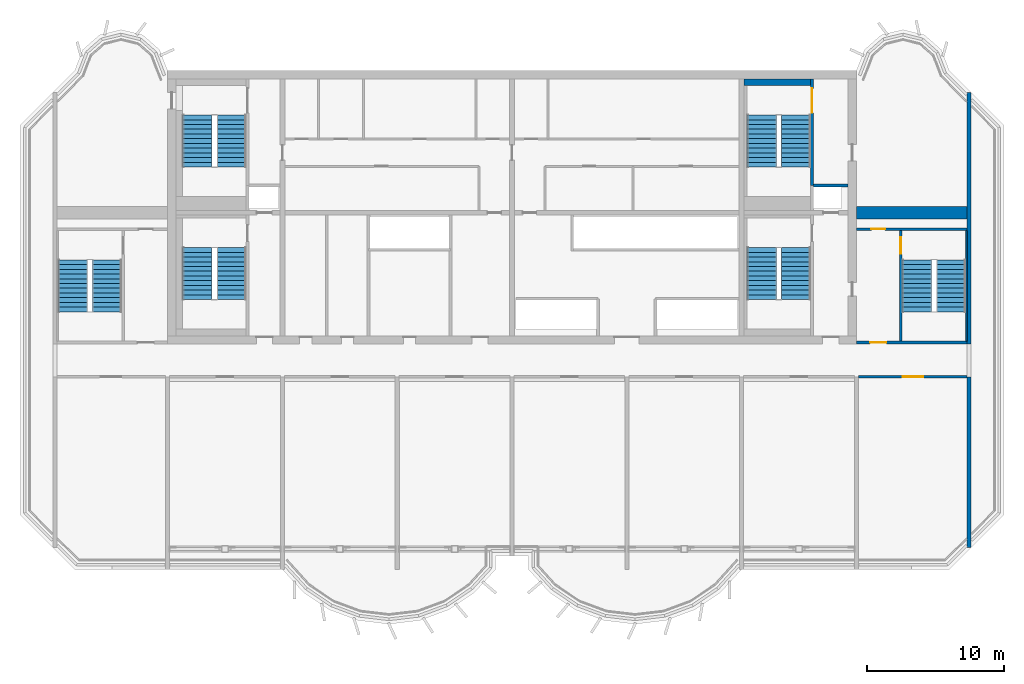
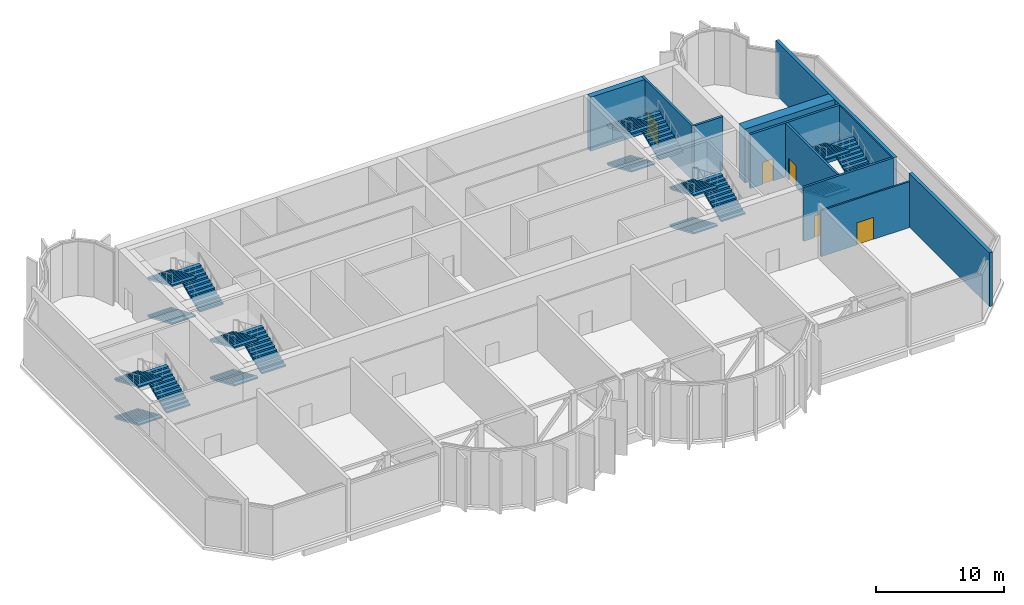
# One storey, part 5 of 11: 18 stair flights, 11 walls, 5 doors, 5 openings, 6 elements without a shape of their own.
"""IFC4 building model written with IfcOpenShell, lengths in metres."""

from ifc_helpers import new_model, si_unit, direction, frame, frame_2d, origin, place, context, subcontext, project, spatial, polyline, rectangle, outline, extrude, source, transform, mapped, material, layer, layer_set, type_object, element, fill, aggregate, save


model = new_model("IFC4")

# Units and contexts
model_context = context("Model", 3, precision=1e-05, world=origin(), true_north=direction((0.0, 1.0)))
body_context = subcontext(model_context, "Body", "Model", "MODEL_VIEW")
ifc_project = project(units=[si_unit("LENGTHUNIT", "METRE"), si_unit("AREAUNIT", "SQUARE_METRE"), si_unit("VOLUMEUNIT", "CUBIC_METRE"), si_unit("PLANEANGLEUNIT", "RADIAN"), si_unit("MASSUNIT", "GRAM", prefix="KILO")], contexts=[model_context])

# Site, building, storey
site_placement = place(None, origin())
site = spatial("IfcSite", under=ifc_project, at=site_placement, CompositionType="ELEMENT")
building_placement = place(site_placement, origin())
building = spatial("IfcBuilding", under=site, at=building_placement, Name="Vanashikhar Sky Hotel", CompositionType="ELEMENT")
storey_placement = place(building_placement, frame((0.0, 0.0, 264.699951171875)))
storey = spatial("IfcBuildingStorey", under=building, at=storey_placement, Name="L64", CompositionType="ELEMENT", Elevation=264.699951171875)

# Walls
ifc_material_1 = material(Name="Concrete M60", Category="concrete")
ifc_layer_1 = layer(ifc_material_1, 0.300048828125)
ifc_layer_set_1 = layer_set([ifc_layer_1], Name="RC shear wall 300 Concrete M60")
wall_type_1 = type_object("IfcWallType", Name="RC shear wall 300 Concrete M60", PredefinedType="SHEAR", material=ifc_layer_set_1)
shared_shape_1 = source(origin(), body_context, "Body", "SweptSolid", [
    extrude(rectangle(XDim=12.5, YDim=0.300048828125, at=frame_2d((6.25, 0.0))), origin(), (0.0, 0.0, 1.0), 5.1201171875),
])
wall_1_placement = place(storey_placement, frame((83.85009765625, 7.10009765625, 0.0), z_axis=(0.0, 0.0, 1.0), x_axis=(0.0, 1.0, 0.0)))
element("IfcWall", 1, at=wall_1_placement, inside=storey, type_object=wall_type_1, Name="CW-L64-XW11-1", PredefinedType="SHEAR", context=body_context, shape_type="MappedRepresentation", body=[
    mapped(shared_shape_1, transform((0.0, 0.0, 0.0), scale=1.0)),
])
shared_shape_2 = source(origin(), body_context, "Body", "SweptSolid", [
    extrude(rectangle(XDim=18.39990234375, YDim=0.300048828125, at=frame_2d((9.199951171875, 0.0))), origin(), (0.0, 0.0, 1.0), 5.1201171875),
])
wall_2_placement = place(storey_placement, frame((83.85009765625, 22.0, 0.0), z_axis=(0.0, 0.0, 1.0), x_axis=(0.0, 1.0, 0.0)))
element("IfcWall", 2, at=wall_2_placement, inside=storey, type_object=wall_type_1, Name="CW-L64-XW11-2", PredefinedType="SHEAR", context=body_context, shape_type="MappedRepresentation", body=[
    mapped(shared_shape_2, transform((0.0, 0.0, 0.0), scale=1.0)),
])
ifc_layer_2 = layer(ifc_material_1, 0.89990234375)
ifc_layer_set_2 = layer_set([ifc_layer_2], Name="RC outrigger wall 900 Concrete M60")
wall_type_2 = type_object("IfcWallType", Name="RC outrigger wall 900 Concrete M60", PredefinedType="SHEAR", material=ifc_layer_set_2)
shared_shape_3 = source(origin(), body_context, "Body", "SweptSolid", [
    extrude(rectangle(XDim=8.099853515625, YDim=0.89990234375, at=frame_2d((4.0498046875, 0.0))), origin(), (0.0, 0.0, 1.0), 5.1201171875),
])
wall_3_placement = place(storey_placement, frame((75.60009765625, 31.60009765625, 0.0), z_axis=(0.0, 0.0, 1.0), x_axis=(1.0, 0.0, 0.0)))
element("IfcWall", 3, at=wall_3_placement, inside=storey, type_object=wall_type_2, Name="OW-L64-02", PredefinedType="SHEAR", context=body_context, shape_type="MappedRepresentation", body=[
    mapped(shared_shape_3, transform((0.0, 0.0, 0.0), scale=1.0)),
])

# Wall, opening, door
ifc_material_2 = material(Name="Concrete M50", Category="concrete")
ifc_layer_3 = layer(ifc_material_2, 0.199951171875)
ifc_layer_set_3 = layer_set([ifc_layer_3], Name="Stair wall 200")
wall_type_3 = type_object("IfcWallType", Name="Stair wall 200", PredefinedType="SOLIDWALL", material=ifc_layer_set_3)
shared_shape_4 = source(origin(), body_context, "Body", "SweptSolid", [
    extrude(rectangle(XDim=8.2998046875, YDim=0.199951171875, at=frame_2d((4.14990234375, 0.0))), origin(), (0.0, 0.0, 1.0), 5.1201171875),
])
wall_4_placement = place(storey_placement, frame((78.85009765625, 22.10009765625, 0.0), z_axis=(0.0, 0.0, 1.0), x_axis=(0.0, 1.0, 0.0)))
wall_4 = element("IfcWall", 4, at=wall_4_placement, inside=storey, type_object=wall_type_3, Name="Stair wall 200", PredefinedType="SOLIDWALL", context=body_context, shape_type="MappedRepresentation", body=[
    mapped(shared_shape_4, transform((0.0, 0.0, 0.0), scale=1.0)),
])
shared_shape_5 = source(origin(), body_context, "Body", "SweptSolid", [
    extrude(rectangle(XDim=1.199951171875, YDim=2.10009765625, at=frame_2d((0.60009765625, 1.050048828125))), frame((0.0, 0.10986328125, 0.0), z_axis=(0.0, -1.0, 0.0), x_axis=(1.0, 0.0, 0.0)), (0.0, 0.0, 1.0), 0.219970703125),
])
opening_1_placement = place(wall_4_placement, frame((6.5, 0.0, 0.0)))
opening_1 = element("IfcOpeningElement", 5, at=opening_1_placement, cuts=wall_4, Name="Opening DC-1", PredefinedType="OPENING", context=body_context, shape_type="MappedRepresentation", body=[
    mapped(shared_shape_5, transform((0.0, 0.0, 0.0), scale=1.0)),
])
ifc_material_3 = material(Name="Steel", Category="steel")
door_type_1 = type_object("IfcDoorType", Name="Stair door 1200 FD120", OperationType="NOTDEFINED", PredefinedType="DOOR", material=ifc_material_3)
shared_shape_6 = source(origin(), body_context, "Body", "SweptSolid", [
    extrude(rectangle(XDim=1.199951171875, YDim=2.10009765625, at=frame_2d((0.60009765625, 1.050048828125))), frame((0.0, 0.02490234375, 0.0), z_axis=(0.0, -1.0, 0.0), x_axis=(1.0, 0.0, 0.0)), (0.0, 0.0, 1.0), 0.050048828125),
])
door_1_placement = place(opening_1_placement, origin())
door_1 = element("IfcDoor", 6, at=door_1_placement, inside=storey, type_object=door_type_1, Name="Stair door 1200 FD120", OperationType="SINGLE_SWING_LEFT", OverallHeight=2.10009765625, OverallWidth=1.199951171875, PredefinedType="DOOR", context=body_context, shape_type="MappedRepresentation", body=[
    mapped(shared_shape_6, transform((0.0, 0.0, 0.0), scale=1.0)),
])
fill(opening_1, door_1)

shared_shape_7 = source(origin(), body_context, "Body", "SweptSolid", [
    extrude(rectangle(XDim=8.099853515625, YDim=0.199951171875, at=frame_2d((4.0498046875, 0.0))), origin(), (0.0, 0.0, 1.0), 5.1201171875),
])
wall_5_placement = place(storey_placement, frame((83.699951171875, 22.10009765625, 0.0), z_axis=(0.0, 0.0, 1.0), x_axis=(-1.0, 0.0, 0.0)))
wall_5 = element("IfcWall", 7, at=wall_5_placement, inside=storey, type_object=wall_type_3, Name="Stair wall 200", PredefinedType="SOLIDWALL", context=body_context, shape_type="MappedRepresentation", body=[
    mapped(shared_shape_7, transform((0.0, 0.0, 0.0), scale=1.0)),
])
opening_2_placement = place(wall_5_placement, frame((5.89990234375, 0.0, 0.0)))
opening_2 = element("IfcOpeningElement", 8, at=opening_2_placement, cuts=wall_5, Name="Opening DC-2", PredefinedType="OPENING", context=body_context, shape_type="MappedRepresentation", body=[
    mapped(shared_shape_5, transform((0.0, 0.0, 0.0), scale=1.0)),
])
door_type_2 = type_object("IfcDoorType", Name="Firefighting lobby door 1200 FD120", OperationType="NOTDEFINED", PredefinedType="DOOR", material=ifc_material_3)
door_2_placement = place(opening_2_placement, origin())
door_2 = element("IfcDoor", 9, at=door_2_placement, inside=storey, type_object=door_type_2, Name="Firefighting lobby door 1200 FD120", OperationType="SINGLE_SWING_LEFT", OverallHeight=2.10009765625, OverallWidth=1.199951171875, PredefinedType="DOOR", context=body_context, shape_type="MappedRepresentation", body=[
    mapped(shared_shape_6, transform((0.0, 0.0, 0.0), scale=1.0)),
])
fill(opening_2, door_2)

wall_6_placement = place(storey_placement, frame((83.699951171875, 30.39990234375, 0.0), z_axis=(0.0, 0.0, 1.0), x_axis=(-1.0, 0.0, 0.0)))
wall_6 = element("IfcWall", 10, at=wall_6_placement, inside=storey, type_object=wall_type_3, Name="Stair wall 200", PredefinedType="SOLIDWALL", context=body_context, shape_type="MappedRepresentation", body=[
    mapped(shared_shape_7, transform((0.0, 0.0, 0.0), scale=1.0)),
])
shared_shape_8 = source(origin(), body_context, "Body", "SweptSolid", [
    extrude(rectangle(XDim=1.0, YDim=2.10009765625, at=frame_2d((0.5, 1.050048828125))), frame((0.0, 0.10986328125, 0.0), z_axis=(0.0, -1.0, 0.0), x_axis=(1.0, 0.0, 0.0)), (0.0, 0.0, 1.0), 0.219970703125),
])
opening_3_placement = place(wall_6_placement, frame((6.0, 0.0, 0.0)))
opening_3 = element("IfcOpeningElement", 11, at=opening_3_placement, cuts=wall_6, Name="Opening DC-6", PredefinedType="OPENING", context=body_context, shape_type="MappedRepresentation", body=[
    mapped(shared_shape_8, transform((0.0, 0.0, 0.0), scale=1.0)),
])
door_type_3 = type_object("IfcDoorType", Name="Pocket door 1000 FD60", OperationType="NOTDEFINED", PredefinedType="DOOR", material=ifc_material_3)
shared_shape_9 = source(origin(), body_context, "Body", "SweptSolid", [
    extrude(rectangle(XDim=1.0, YDim=2.10009765625, at=frame_2d((0.5, 1.050048828125))), frame((0.0, 0.02490234375, 0.0), z_axis=(0.0, -1.0, 0.0), x_axis=(1.0, 0.0, 0.0)), (0.0, 0.0, 1.0), 0.050048828125),
])
door_3_placement = place(opening_3_placement, origin())
door_3 = element("IfcDoor", 12, at=door_3_placement, inside=storey, type_object=door_type_3, Name="Pocket door 1000 FD60", OperationType="SINGLE_SWING_LEFT", OverallHeight=2.10009765625, OverallWidth=1.0, PredefinedType="DOOR", context=body_context, shape_type="MappedRepresentation", body=[
    mapped(shared_shape_9, transform((0.0, 0.0, 0.0), scale=1.0)),
])
fill(opening_3, door_3)

shared_shape_10 = source(origin(), body_context, "Body", "SweptSolid", [
    extrude(rectangle(XDim=7.7998046875, YDim=0.199951171875, at=frame_2d((3.89990234375, 0.0))), origin(), (0.0, 0.0, 1.0), 5.1201171875),
])
wall_7_placement = place(storey_placement, frame((72.35009765625, 33.60009765625, 0.0), z_axis=(0.0, 0.0, 1.0), x_axis=(0.0, 1.0, 0.0)))
wall_7 = element("IfcWall", 13, at=wall_7_placement, inside=storey, type_object=wall_type_3, Name="Stair wall 200", PredefinedType="SOLIDWALL", context=body_context, shape_type="MappedRepresentation", body=[
    mapped(shared_shape_10, transform((0.0, 0.0, 0.0), scale=1.0)),
])
shared_shape_11 = source(origin(), body_context, "Body", "SweptSolid", [
    extrude(rectangle(XDim=1.800048828125, YDim=2.10009765625, at=frame_2d((0.89990234375, 1.050048828125))), frame((0.0, 0.10986328125, 0.0), z_axis=(0.0, -1.0, 0.0), x_axis=(1.0, 0.0, 0.0)), (0.0, 0.0, 1.0), 0.219970703125),
])
opening_4_placement = place(wall_7_placement, frame((5.300048828125, 0.0, 0.0)))
opening_4 = element("IfcOpeningElement", 14, at=opening_4_placement, cuts=wall_7, Name="Opening DC-1-A", PredefinedType="OPENING", context=body_context, shape_type="MappedRepresentation", body=[
    mapped(shared_shape_11, transform((0.0, 0.0, 0.0), scale=1.0)),
])
door_type_4 = type_object("IfcDoorType", Name="Stair door 1800 FD120", OperationType="NOTDEFINED", PredefinedType="DOOR", material=ifc_material_3)
shared_shape_12 = source(origin(), body_context, "Body", "SweptSolid", [
    extrude(rectangle(XDim=1.800048828125, YDim=2.10009765625, at=frame_2d((0.89990234375, 1.050048828125))), frame((0.0, 0.02490234375, 0.0), z_axis=(0.0, -1.0, 0.0), x_axis=(1.0, 0.0, 0.0)), (0.0, 0.0, 1.0), 0.050048828125),
])
door_4_placement = place(opening_4_placement, origin())
door_4 = element("IfcDoor", 15, at=door_4_placement, inside=storey, type_object=door_type_4, Name="Stair door 1800 FD120", OperationType="SINGLE_SWING_LEFT", OverallHeight=2.10009765625, OverallWidth=1.800048828125, PredefinedType="DOOR", context=body_context, shape_type="MappedRepresentation", body=[
    mapped(shared_shape_12, transform((0.0, 0.0, 0.0), scale=1.0)),
])
fill(opening_4, door_4)

# Walls
ifc_material_4 = material(Name="Concrete M40", Category="concrete")
ifc_layer_4 = layer(ifc_material_4, 0.199951171875)
ifc_layer_set_4 = layer_set([ifc_layer_4], Name="Shaft wall 200")
wall_type_4 = type_object("IfcWallType", Name="Shaft wall 200", PredefinedType="SOLIDWALL", material=ifc_layer_set_4)
shared_shape_13 = source(origin(), body_context, "Body", "SweptSolid", [
    extrude(rectangle(XDim=2.550048828125, YDim=0.199951171875, at=frame_2d((1.27490234375, 0.0))), origin(), (0.0, 0.0, 1.0), 5.1201171875),
])
wall_8_placement = place(storey_placement, frame((72.449951171875, 33.60009765625, 0.0), z_axis=(0.0, 0.0, 1.0), x_axis=(1.0, 0.0, 0.0)))
element("IfcWall", 16, at=wall_8_placement, inside=storey, type_object=wall_type_4, Name="Shaft wall 200", PredefinedType="SOLIDWALL", context=body_context, shape_type="MappedRepresentation", body=[
    mapped(shared_shape_13, transform((0.0, 0.0, 0.0), scale=1.0)),
])
ifc_layer_5 = layer(ifc_material_2, 0.5)
ifc_layer_set_5 = layer_set([ifc_layer_5], Name="Stair infill wall 500")
wall_type_5 = type_object("IfcWallType", Name="Stair infill wall 500", PredefinedType="SOLIDWALL", material=ifc_layer_set_5)
shared_shape_14 = source(origin(), body_context, "Body", "SweptSolid", [
    extrude(rectangle(XDim=4.875, YDim=0.5, at=frame_2d((2.4375, 0.0))), origin(), (0.0, 0.0, 1.0), 5.1201171875),
])
wall_9_placement = place(storey_placement, frame((67.375, 41.14990234375, 0.0), z_axis=(0.0, 0.0, 1.0), x_axis=(1.0, 0.0, 0.0)))
element("IfcWall", 17, at=wall_9_placement, inside=storey, type_object=wall_type_5, Name="Stair infill wall 500", PredefinedType="SOLIDWALL", context=body_context, shape_type="MappedRepresentation", body=[
    mapped(shared_shape_14, transform((0.0, 0.0, 0.0), scale=1.0)),
])
ifc_layer_6 = layer(ifc_material_2, 0.10009765625)
ifc_layer_set_6 = layer_set([ifc_layer_6], Name="Stair infill wall 100")
wall_type_6 = type_object("IfcWallType", Name="Stair infill wall 100", PredefinedType="SOLIDWALL", material=ifc_layer_set_6)
shared_shape_15 = source(origin(), body_context, "Body", "SweptSolid", [
    extrude(rectangle(XDim=8.10009765625, YDim=0.10009765625, at=frame_2d((4.050048828125, 0.0))), origin(), (0.0, 0.0, 1.0), 5.1201171875),
])
wall_10_placement = place(storey_placement, frame((83.64990234375, 22.199951171875, 0.0), z_axis=(0.0, 0.0, 1.0), x_axis=(0.0, 1.0, 0.0)))
element("IfcWall", 18, at=wall_10_placement, inside=storey, type_object=wall_type_6, Name="Stair infill wall 100", PredefinedType="SOLIDWALL", context=body_context, shape_type="MappedRepresentation", body=[
    mapped(shared_shape_15, transform((0.0, 0.0, 0.0), scale=1.0)),
])

# Wall, opening, door
ifc_material_5 = material(Name="Gypsum board partition")
ifc_layer_7 = layer(ifc_material_5, 0.14990234375)
ifc_layer_set_7 = layer_set([ifc_layer_7], Name="Service partition 150")
wall_type_7 = type_object("IfcWallType", Name="Service partition 150", PredefinedType="PARTITIONING", material=ifc_layer_set_7)
shared_shape_16 = source(origin(), body_context, "Body", "SweptSolid", [
    extrude(rectangle(XDim=7.949951171875, YDim=0.14990234375, at=frame_2d((3.97509765625, 0.0))), origin(), (0.0, 0.0, 1.0), 4.3701171875),
])
wall_11_placement = place(storey_placement, frame((75.75, 19.60009765625, 0.0), z_axis=(0.0, 0.0, 1.0), x_axis=(1.0, 0.0, 0.0)))
wall_11 = element("IfcWall", 19, at=wall_11_placement, inside=storey, type_object=wall_type_7, Name="Service partition 150", PredefinedType="PARTITIONING", context=body_context, shape_type="MappedRepresentation", body=[
    mapped(shared_shape_16, transform((0.0, 0.0, 0.0), scale=1.0)),
])
shared_shape_17 = source(origin(), body_context, "Body", "SweptSolid", [
    extrude(rectangle(XDim=1.5, YDim=2.10009765625, at=frame_2d((0.75, 1.050048828125))), frame((0.0, 0.0849609375, 0.0), z_axis=(0.0, -1.0, 0.0), x_axis=(1.0, 0.0, 0.0)), (0.0, 0.0, 1.0), 0.169921875),
])
opening_5_placement = place(wall_11_placement, frame((3.22509765625, 0.0, 0.0)))
opening_5 = element("IfcOpeningElement", 20, at=opening_5_placement, cuts=wall_11, Name="Opening DC-4-E", PredefinedType="OPENING", context=body_context, shape_type="MappedRepresentation", body=[
    mapped(shared_shape_17, transform((0.0, 0.0, 0.0), scale=1.0)),
])
door_type_5 = type_object("IfcDoorType", Name="Service door 1500 FD60", OperationType="NOTDEFINED", PredefinedType="DOOR", material=ifc_material_3)
shared_shape_18 = source(origin(), body_context, "Body", "SweptSolid", [
    extrude(rectangle(XDim=1.5, YDim=2.10009765625, at=frame_2d((0.75, 1.050048828125))), frame((0.0, 0.02490234375, 0.0), z_axis=(0.0, -1.0, 0.0), x_axis=(1.0, 0.0, 0.0)), (0.0, 0.0, 1.0), 0.050048828125),
])
door_5_placement = place(opening_5_placement, origin())
door_5 = element("IfcDoor", 21, at=door_5_placement, inside=storey, type_object=door_type_5, Name="Service door 1500 FD60", OperationType="SINGLE_SWING_LEFT", OverallHeight=2.10009765625, OverallWidth=1.5, PredefinedType="DOOR", context=body_context, shape_type="MappedRepresentation", body=[
    mapped(shared_shape_18, transform((0.0, 0.0, 0.0), scale=1.0)),
])
fill(opening_5, door_5)

# Stair, stair flights
stair_type = type_object("IfcStairType", Name="Exit stair 2150", PredefinedType="DOUBLE_RETURN_STAIR", material=ifc_material_4)
stair_1_placement = place(storey_placement, origin())
stair_1 = element("IfcStair", 22, at=stair_1_placement, inside=storey, type_object=stair_type, Name="L64 Exit stair 1", PredefinedType="DOUBLE_RETURN_STAIR")
stair_flight_type = type_object("IfcStairFlightType", Name="Stair flight 2150", PredefinedType="STRAIGHT", material=ifc_material_4)
shared_shape_19 = source(origin(), body_context, "Body", "SweptSolid", [
    extrude(outline(polyline([(0.0, 0.0), (0.0, 0.14990234375), (0.345458984375, 0.14990234375), (0.345458984375, 0.300048828125), (0.69091796875, 0.300048828125), (0.69091796875, 0.449951171875), (1.036376953125, 0.449951171875), (1.036376953125, 0.60009765625), (1.3818359375, 0.60009765625), (1.3818359375, 0.75), (1.727294921875, 0.75), (1.727294921875, 0.89990234375), (2.07275390625, 0.89990234375), (2.07275390625, 1.050048828125), (2.418212890625, 1.050048828125), (2.418212890625, 1.199951171875), (2.763671875, 1.199951171875), (2.763671875, 1.35009765625), (3.109130859375, 1.35009765625), (3.109130859375, 1.5), (3.45458984375, 1.5), (3.45458984375, 1.64990234375), (3.800048828125, 1.64990234375), (3.800048828125, 1.800048828125), (3.800048828125, 1.51904296875), (0.301513671875, 0.0), (0.0, 0.0)])), frame((0.0, 1.074951171875, 0.0), z_axis=(0.0, -1.0, 0.0), x_axis=(1.0, 0.0, 0.0)), (0.0, 0.0, 1.0), 2.14990234375),
])
stair_flight_1_placement = place(storey_placement, frame((27.375, 29.050048828125, 0.0), z_axis=(0.0, 0.0, 1.0), x_axis=(0.0, -1.0, 0.0)))
stair_flight_1 = element("IfcStairFlight", 23, at=stair_flight_1_placement, type_object=stair_flight_type, Name="ST-C1 flight 1", NumberOfRisers=12, NumberOfTreads=11, PredefinedType="STRAIGHT", RiserHeight=0.15, TreadLength=0.345454545, context=body_context, shape_type="MappedRepresentation", body=[
    mapped(shared_shape_19, transform((0.0, 0.0, 0.0), scale=1.0)),
])
stair_flight_2_placement = place(storey_placement, frame((29.875, 25.25, 1.800048828125), z_axis=(0.0, 0.0, 1.0), x_axis=(0.0, 1.0, 0.0)))
stair_flight_2 = element("IfcStairFlight", 24, at=stair_flight_2_placement, type_object=stair_flight_type, Name="ST-C1 flight 2", NumberOfRisers=12, NumberOfTreads=11, PredefinedType="STRAIGHT", RiserHeight=0.15, TreadLength=0.345454545, context=body_context, shape_type="MappedRepresentation", body=[
    mapped(shared_shape_19, transform((0.0, 0.0, 0.0), scale=1.0)),
])
stair_flight_3_placement = place(storey_placement, frame((27.375, 29.050048828125, 3.60009765625), z_axis=(0.0, 0.0, 1.0), x_axis=(0.0, -1.0, 0.0)))
stair_flight_3 = element("IfcStairFlight", 25, at=stair_flight_3_placement, type_object=stair_flight_type, Name="ST-C1 flight 3", NumberOfRisers=12, NumberOfTreads=11, PredefinedType="STRAIGHT", RiserHeight=0.15, TreadLength=0.345454545, context=body_context, shape_type="MappedRepresentation", body=[
    mapped(shared_shape_19, transform((0.0, 0.0, 0.0), scale=1.0)),
])
aggregate(stair_1, [stair_flight_1, stair_flight_2, stair_flight_3])

stair_2_placement = place(storey_placement, origin())
stair_2 = element("IfcStair", 26, at=stair_2_placement, inside=storey, type_object=stair_type, Name="L64 Exit stair 2", PredefinedType="DOUBLE_RETURN_STAIR")
stair_flight_4_placement = place(storey_placement, frame((68.675048828125, 29.050048828125, 0.0), z_axis=(0.0, 0.0, 1.0), x_axis=(0.0, -1.0, 0.0)))
stair_flight_4 = element("IfcStairFlight", 27, at=stair_flight_4_placement, type_object=stair_flight_type, Name="ST-C2 flight 1", NumberOfRisers=12, NumberOfTreads=11, PredefinedType="STRAIGHT", RiserHeight=0.15, TreadLength=0.345454545, context=body_context, shape_type="MappedRepresentation", body=[
    mapped(shared_shape_19, transform((0.0, 0.0, 0.0), scale=1.0)),
])
stair_flight_5_placement = place(storey_placement, frame((71.175048828125, 25.25, 1.800048828125), z_axis=(0.0, 0.0, 1.0), x_axis=(0.0, 1.0, 0.0)))
stair_flight_5 = element("IfcStairFlight", 28, at=stair_flight_5_placement, type_object=stair_flight_type, Name="ST-C2 flight 2", NumberOfRisers=12, NumberOfTreads=11, PredefinedType="STRAIGHT", RiserHeight=0.15, TreadLength=0.345454545, context=body_context, shape_type="MappedRepresentation", body=[
    mapped(shared_shape_19, transform((0.0, 0.0, 0.0), scale=1.0)),
])
stair_flight_6_placement = place(storey_placement, frame((68.675048828125, 29.050048828125, 3.60009765625), z_axis=(0.0, 0.0, 1.0), x_axis=(0.0, -1.0, 0.0)))
stair_flight_6 = element("IfcStairFlight", 29, at=stair_flight_6_placement, type_object=stair_flight_type, Name="ST-C2 flight 3", NumberOfRisers=12, NumberOfTreads=11, PredefinedType="STRAIGHT", RiserHeight=0.15, TreadLength=0.345454545, context=body_context, shape_type="MappedRepresentation", body=[
    mapped(shared_shape_19, transform((0.0, 0.0, 0.0), scale=1.0)),
])
aggregate(stair_2, [stair_flight_4, stair_flight_5, stair_flight_6])

stair_3_placement = place(storey_placement, origin())
stair_3 = element("IfcStair", 30, at=stair_3_placement, inside=storey, type_object=stair_type, Name="L64 Exit stair 3", PredefinedType="DOUBLE_RETURN_STAIR")
stair_flight_7_placement = place(storey_placement, frame((18.27490234375, 28.14990234375, 0.0), z_axis=(0.0, 0.0, 1.0), x_axis=(0.0, -1.0, 0.0)))
stair_flight_7 = element("IfcStairFlight", 31, at=stair_flight_7_placement, type_object=stair_flight_type, Name="ST-W flight 1", NumberOfRisers=12, NumberOfTreads=11, PredefinedType="STRAIGHT", RiserHeight=0.15, TreadLength=0.345454545, context=body_context, shape_type="MappedRepresentation", body=[
    mapped(shared_shape_19, transform((0.0, 0.0, 0.0), scale=1.0)),
])
stair_flight_8_placement = place(storey_placement, frame((20.77490234375, 24.35009765625, 1.800048828125), z_axis=(0.0, 0.0, 1.0), x_axis=(0.0, 1.0, 0.0)))
stair_flight_8 = element("IfcStairFlight", 32, at=stair_flight_8_placement, type_object=stair_flight_type, Name="ST-W flight 2", NumberOfRisers=12, NumberOfTreads=11, PredefinedType="STRAIGHT", RiserHeight=0.15, TreadLength=0.345454545, context=body_context, shape_type="MappedRepresentation", body=[
    mapped(shared_shape_19, transform((0.0, 0.0, 0.0), scale=1.0)),
])
stair_flight_9_placement = place(storey_placement, frame((18.27490234375, 28.14990234375, 3.60009765625), z_axis=(0.0, 0.0, 1.0), x_axis=(0.0, -1.0, 0.0)))
stair_flight_9 = element("IfcStairFlight", 33, at=stair_flight_9_placement, type_object=stair_flight_type, Name="ST-W flight 3", NumberOfRisers=12, NumberOfTreads=11, PredefinedType="STRAIGHT", RiserHeight=0.15, TreadLength=0.345454545, context=body_context, shape_type="MappedRepresentation", body=[
    mapped(shared_shape_19, transform((0.0, 0.0, 0.0), scale=1.0)),
])
aggregate(stair_3, [stair_flight_7, stair_flight_8, stair_flight_9])

stair_4_placement = place(storey_placement, origin())
stair_4 = element("IfcStair", 34, at=stair_4_placement, inside=storey, type_object=stair_type, Name="L64 Exit stair 4", PredefinedType="DOUBLE_RETURN_STAIR")
stair_flight_10_placement = place(storey_placement, frame((80.02490234375, 28.14990234375, 0.0), z_axis=(0.0, 0.0, 1.0), x_axis=(0.0, -1.0, 0.0)))
stair_flight_10 = element("IfcStairFlight", 35, at=stair_flight_10_placement, type_object=stair_flight_type, Name="ST-E flight 1", NumberOfRisers=12, NumberOfTreads=11, PredefinedType="STRAIGHT", RiserHeight=0.15, TreadLength=0.345454545, context=body_context, shape_type="MappedRepresentation", body=[
    mapped(shared_shape_19, transform((0.0, 0.0, 0.0), scale=1.0)),
])
stair_flight_11_placement = place(storey_placement, frame((82.52490234375, 24.35009765625, 1.800048828125), z_axis=(0.0, 0.0, 1.0), x_axis=(0.0, 1.0, 0.0)))
stair_flight_11 = element("IfcStairFlight", 36, at=stair_flight_11_placement, type_object=stair_flight_type, Name="ST-E flight 2", NumberOfRisers=12, NumberOfTreads=11, PredefinedType="STRAIGHT", RiserHeight=0.15, TreadLength=0.345454545, context=body_context, shape_type="MappedRepresentation", body=[
    mapped(shared_shape_19, transform((0.0, 0.0, 0.0), scale=1.0)),
])
stair_flight_12_placement = place(storey_placement, frame((80.02490234375, 28.14990234375, 3.60009765625), z_axis=(0.0, 0.0, 1.0), x_axis=(0.0, -1.0, 0.0)))
stair_flight_12 = element("IfcStairFlight", 37, at=stair_flight_12_placement, type_object=stair_flight_type, Name="ST-E flight 3", NumberOfRisers=12, NumberOfTreads=11, PredefinedType="STRAIGHT", RiserHeight=0.15, TreadLength=0.345454545, context=body_context, shape_type="MappedRepresentation", body=[
    mapped(shared_shape_19, transform((0.0, 0.0, 0.0), scale=1.0)),
])
aggregate(stair_4, [stair_flight_10, stair_flight_11, stair_flight_12])

stair_5_placement = place(storey_placement, origin())
stair_5 = element("IfcStair", 38, at=stair_5_placement, inside=storey, type_object=stair_type, Name="L64 Exit stair 5", PredefinedType="DOUBLE_RETURN_STAIR")
stair_flight_13_placement = place(storey_placement, frame((27.375, 38.75, 0.0), z_axis=(0.0, 0.0, 1.0), x_axis=(0.0, -1.0, 0.0)))
stair_flight_13 = element("IfcStairFlight", 39, at=stair_flight_13_placement, type_object=stair_flight_type, Name="ST-C3 flight 1", NumberOfRisers=12, NumberOfTreads=11, PredefinedType="STRAIGHT", RiserHeight=0.15, TreadLength=0.345454545, context=body_context, shape_type="MappedRepresentation", body=[
    mapped(shared_shape_19, transform((0.0, 0.0, 0.0), scale=1.0)),
])
stair_flight_14_placement = place(storey_placement, frame((29.875, 34.949951171875, 1.800048828125), z_axis=(0.0, 0.0, 1.0), x_axis=(0.0, 1.0, 0.0)))
stair_flight_14 = element("IfcStairFlight", 40, at=stair_flight_14_placement, type_object=stair_flight_type, Name="ST-C3 flight 2", NumberOfRisers=12, NumberOfTreads=11, PredefinedType="STRAIGHT", RiserHeight=0.15, TreadLength=0.345454545, context=body_context, shape_type="MappedRepresentation", body=[
    mapped(shared_shape_19, transform((0.0, 0.0, 0.0), scale=1.0)),
])
stair_flight_15_placement = place(storey_placement, frame((27.375, 38.75, 3.60009765625), z_axis=(0.0, 0.0, 1.0), x_axis=(0.0, -1.0, 0.0)))
stair_flight_15 = element("IfcStairFlight", 41, at=stair_flight_15_placement, type_object=stair_flight_type, Name="ST-C3 flight 3", NumberOfRisers=12, NumberOfTreads=11, PredefinedType="STRAIGHT", RiserHeight=0.15, TreadLength=0.345454545, context=body_context, shape_type="MappedRepresentation", body=[
    mapped(shared_shape_19, transform((0.0, 0.0, 0.0), scale=1.0)),
])
aggregate(stair_5, [stair_flight_13, stair_flight_14, stair_flight_15])

stair_6_placement = place(storey_placement, origin())
stair_6 = element("IfcStair", 42, at=stair_6_placement, inside=storey, type_object=stair_type, Name="L64 Exit stair 6", PredefinedType="DOUBLE_RETURN_STAIR")
stair_flight_16_placement = place(storey_placement, frame((68.675048828125, 38.75, 0.0), z_axis=(0.0, 0.0, 1.0), x_axis=(0.0, -1.0, 0.0)))
stair_flight_16 = element("IfcStairFlight", 43, at=stair_flight_16_placement, type_object=stair_flight_type, Name="ST-C4 flight 1", NumberOfRisers=12, NumberOfTreads=11, PredefinedType="STRAIGHT", RiserHeight=0.15, TreadLength=0.345454545, context=body_context, shape_type="MappedRepresentation", body=[
    mapped(shared_shape_19, transform((0.0, 0.0, 0.0), scale=1.0)),
])
stair_flight_17_placement = place(storey_placement, frame((71.175048828125, 34.949951171875, 1.800048828125), z_axis=(0.0, 0.0, 1.0), x_axis=(0.0, 1.0, 0.0)))
stair_flight_17 = element("IfcStairFlight", 44, at=stair_flight_17_placement, type_object=stair_flight_type, Name="ST-C4 flight 2", NumberOfRisers=12, NumberOfTreads=11, PredefinedType="STRAIGHT", RiserHeight=0.15, TreadLength=0.345454545, context=body_context, shape_type="MappedRepresentation", body=[
    mapped(shared_shape_19, transform((0.0, 0.0, 0.0), scale=1.0)),
])
stair_flight_18_placement = place(storey_placement, frame((68.675048828125, 38.75, 3.60009765625), z_axis=(0.0, 0.0, 1.0), x_axis=(0.0, -1.0, 0.0)))
stair_flight_18 = element("IfcStairFlight", 45, at=stair_flight_18_placement, type_object=stair_flight_type, Name="ST-C4 flight 3", NumberOfRisers=12, NumberOfTreads=11, PredefinedType="STRAIGHT", RiserHeight=0.15, TreadLength=0.345454545, context=body_context, shape_type="MappedRepresentation", body=[
    mapped(shared_shape_19, transform((0.0, 0.0, 0.0), scale=1.0)),
])
aggregate(stair_6, [stair_flight_16, stair_flight_17, stair_flight_18])

save(model, "model.ifc")
